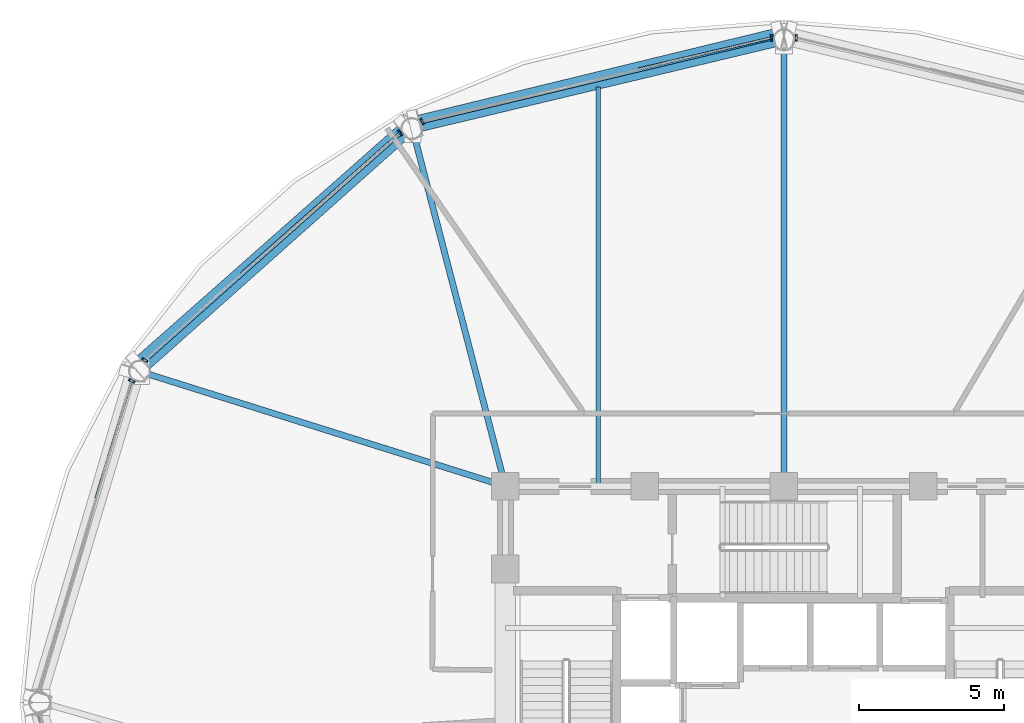
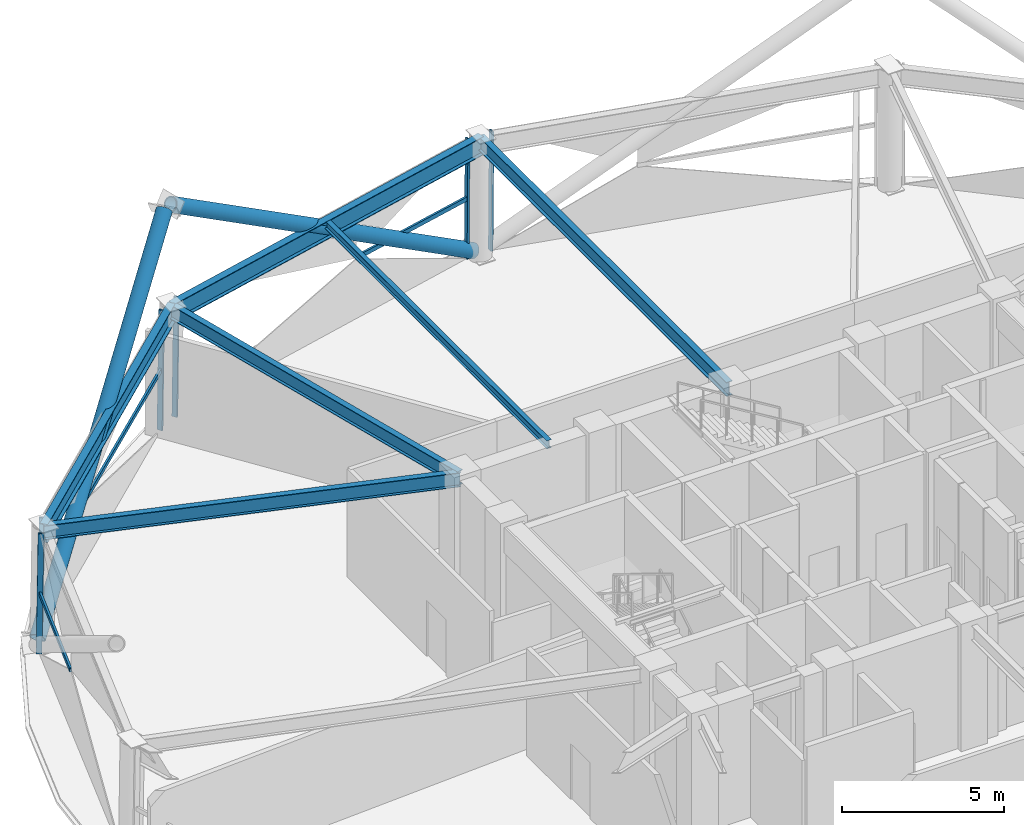
# One storey, part 6 of 17: 11 members, 6 beams, 4 elements without a shape of their own.
"""IFC4 building model written with IfcOpenShell, lengths in metres."""

from ifc_helpers import new_model, si_unit, direction, frame, origin, origin_2d, place, context, subcontext, project, spatial, hollow_rectangle, hollow_circle, i_section, extrude, material, layer, layer_set, material_profile, profile_set, type_object, element, aggregate, save


model = new_model("IFC4")

# Units and contexts
model_context = context("Model", 3, precision=1e-05, world=origin(), true_north=direction((0.0, 1.0)))
body_context = subcontext(model_context, "Body", "Model", "MODEL_VIEW")
ifc_project = project(units=[si_unit("LENGTHUNIT", "METRE"), si_unit("AREAUNIT", "SQUARE_METRE"), si_unit("VOLUMEUNIT", "CUBIC_METRE"), si_unit("PLANEANGLEUNIT", "RADIAN"), si_unit("MASSUNIT", "GRAM", prefix="KILO")], contexts=[model_context])

# Site, building, storey
site_placement = place(None, origin())
site = spatial("IfcSite", under=ifc_project, at=site_placement, CompositionType="ELEMENT")
building_placement = place(site_placement, origin())
building = spatial("IfcBuilding", under=site, at=building_placement, Name="Vantalir Tower", CompositionType="ELEMENT")
storey_placement = place(building_placement, frame((0.0, 0.0, 96.14990234375)))
storey = spatial("IfcBuildingStorey", under=building, at=storey_placement, Name="L23", CompositionType="ELEMENT", Elevation=96.14990234375)

# Beams
ifc_material_1 = material(Name="Steel S355", Category="steel")
ifc_material_profile_1 = material_profile(ifc_material_1, i_section(OverallWidth=0.166015625, OverallDepth=0.306884765625, WebThickness=0.006591796875, FlangeThickness=0.01171875, at=origin_2d()), Name="Steel S355")
ifc_profile_set_1 = profile_set([ifc_material_profile_1], Name="Steel S355")
beam_type_1 = type_object("IfcBeamType", Name="BM-JS-305x165", PredefinedType="JOIST", material=ifc_profile_set_1)
beam_1_placement = place(storey_placement, frame((25.10302734375, 46.217041015625, 4.466064453125), z_axis=(0.0, -1.0, 0.0), x_axis=(1.0, 0.0, 0.0)))
element("IfcBeam", 1, at=beam_1_placement, inside=storey, type_object=beam_type_1, Name="L23 Composite Trim Joist 01", PredefinedType="JOIST", context=body_context, shape_type="SweptSolid", body=[
    extrude(i_section(OverallWidth=0.166015625, OverallDepth=0.306884765625, WebThickness=0.006591796875, FlangeThickness=0.01171875, at=origin_2d()), origin(), (0.0, 0.0, 1.0), 13.721923828125),
])
ifc_material_profile_2 = material_profile(ifc_material_1, i_section(OverallWidth=0.2109375, OverallDepth=0.5390625, WebThickness=0.01171875, FlangeThickness=0.018798828125, at=origin_2d()), Name="Steel S355")
ifc_profile_set_2 = profile_set([ifc_material_profile_2], Name="Steel S355")
beam_type_2 = type_object("IfcBeamType", Name="BM-RB-533x210", PredefinedType="BEAM", material=ifc_profile_set_2)
beam_2_placement = place(storey_placement, frame((31.5, 47.7880859375, 4.35009765625), z_axis=(0.0, -1.0, 0.0), x_axis=(1.0, 0.0, 0.0)))
element("IfcBeam", 2, at=beam_2_placement, inside=storey, type_object=beam_type_2, Name="L23 Radial Floor Beam 04", PredefinedType="BEAM", context=body_context, shape_type="SweptSolid", body=[
    extrude(i_section(OverallWidth=0.2109375, OverallDepth=0.5390625, WebThickness=0.01171875, FlangeThickness=0.018798828125, at=origin_2d()), origin(), (0.0, 0.0, 1.0), 15.338134765625),
])
beam_3_placement = place(storey_placement, frame((18.7060546875, 44.735107421875, 4.35009765625), z_axis=(0.251612232967, -0.967828127418, 0.0), x_axis=(0.967828127418, 0.251612232967, 0.0)))
element("IfcBeam", 3, at=beam_3_placement, inside=storey, type_object=beam_type_2, Name="L23 Radial Floor Beam 05", PredefinedType="BEAM", context=body_context, shape_type="SweptSolid", body=[
    extrude(i_section(OverallWidth=0.2109375, OverallDepth=0.5390625, WebThickness=0.01171875, FlangeThickness=0.018798828125, at=origin_2d()), origin(), (0.0, 0.0, 1.0), 12.693603515625),
])
beam_4_placement = place(storey_placement, frame((9.340087890625, 36.39404296875, 4.35009765625), z_axis=(0.954064922814, -0.299599938343, 0.0), x_axis=(0.299599938343, 0.954064922814, 0.0)))
element("IfcBeam", 4, at=beam_4_placement, inside=storey, type_object=beam_type_2, Name="L23 Radial Floor Beam 06", PredefinedType="BEAM", context=body_context, shape_type="SweptSolid", body=[
    extrude(i_section(OverallWidth=0.2109375, OverallDepth=0.5390625, WebThickness=0.01171875, FlangeThickness=0.018798828125, at=origin_2d()), origin(), (0.0, 0.0, 1.0), 13.16455078125),
])
ifc_material_2 = material(Name="Steel S460", Category="steel")
ifc_material_profile_3 = material_profile(ifc_material_2, i_section(OverallWidth=0.256103515625, OverallDepth=0.693115234375, WebThickness=0.014404296875, FlangeThickness=0.023681640625, at=origin_2d()), Name="Steel S460")
ifc_profile_set_3 = profile_set([ifc_material_profile_3], Name="Steel S460")
beam_type_3 = type_object("IfcBeamType", Name="BM-RG-686x254", PredefinedType="USERDEFINED", material=ifc_profile_set_3)
beam_5_placement = place(storey_placement, frame((31.5, 47.7880859375, 4.273193359375), z_axis=(-0.972689585219, -0.232109824883, 0.0), x_axis=(0.232109824883, -0.972689585219, 0.0)))
element("IfcBeam", 5, at=beam_5_placement, inside=storey, type_object=beam_type_3, Name="L23 Circumferential Ring Girder 04", ObjectType="GIRDER", PredefinedType="USERDEFINED", context=body_context, shape_type="SweptSolid", body=[
    extrude(i_section(OverallWidth=0.256103515625, OverallDepth=0.693115234375, WebThickness=0.014404296875, FlangeThickness=0.023681640625, at=origin_2d()), origin(), (0.0, 0.0, 1.0), 13.153076171875),
])
beam_6_placement = place(storey_placement, frame((18.7060546875, 44.735107421875, 4.273193359375), z_axis=(-0.746784993974, -0.665065540211, 0.0), x_axis=(0.665065540211, -0.746784993974, 0.0)))
element("IfcBeam", 6, at=beam_6_placement, inside=storey, type_object=beam_type_3, Name="L23 Circumferential Ring Girder 05", ObjectType="GIRDER", PredefinedType="USERDEFINED", context=body_context, shape_type="SweptSolid", body=[
    extrude(i_section(OverallWidth=0.256103515625, OverallDepth=0.693115234375, WebThickness=0.014404296875, FlangeThickness=0.023681640625, at=origin_2d()), origin(), (0.0, 0.0, 1.0), 12.541748046875),
])

# Curtain wall, member
ifc_material_3 = material(Name="Champagne-silver PVDF aluminium and double-silver Low-E glass", Category="aluminium")
ifc_layer = layer(ifc_material_3, 0.22998046875)
ifc_layer_set = layer_set([ifc_layer], Name="Champagne-silver PVDF aluminium and double-silver Low-E glass")
curtain_wall_type = type_object("IfcCurtainWallType", Name="CW-SKYLOBBY", PredefinedType="USERDEFINED", material=ifc_layer_set)
curtain_wall_1_placement = place(storey_placement, origin())
curtain_wall_1 = element("IfcCurtainWall", 7, at=curtain_wall_1_placement, inside=storey, type_object=curtain_wall_type, Name="L23 Quilted Pyramid-Diamond Curtain Wall S03", ObjectType="UNITISED CURTAIN WALL", PredefinedType="USERDEFINED")
ifc_material_4 = material(Name="Champagne-silver PVDF aluminium 6063-T6", Category="aluminium")
ifc_material_profile_4 = material_profile(ifc_material_4, hollow_rectangle(XDim=0.074951171875, YDim=0.179931640625, WallThickness=0.00390625, at=origin_2d()), Name="Champagne-silver PVDF aluminium 6063-T6")
ifc_profile_set_4 = profile_set([ifc_material_profile_4], Name="Champagne-silver PVDF aluminium 6063-T6")
member_type_1 = type_object("IfcMemberType", Name="CWM-180x75", PredefinedType="MULLION", material=ifc_profile_set_4)
member_1_placement = place(storey_placement, frame((31.927978515625, 47.930908203125, 0.045166015625), z_axis=(0.0, -0.012125220131, 0.999926486816), x_axis=(1.0, 0.0, 0.0)))
member_1 = element("IfcMember", 8, at=member_1_placement, type_object=member_type_1, Name="CW-L23-S03 Mullion 2", PredefinedType="MULLION", context=body_context, shape_type="SweptSolid", body=[
    extrude(hollow_rectangle(XDim=0.074951171875, YDim=0.179931640625, WallThickness=0.00390625, at=origin_2d()), origin(), (0.0, 0.0, 1.0), 4.5302734375),
])
aggregate(curtain_wall_1, [member_1])

# Curtain wall, members
curtain_wall_2_placement = place(storey_placement, origin())
curtain_wall_2 = element("IfcCurtainWall", 9, at=curtain_wall_2_placement, inside=storey, type_object=curtain_wall_type, Name="L23 Quilted Pyramid-Diamond Curtain Wall S04", ObjectType="UNITISED CURTAIN WALL", PredefinedType="USERDEFINED")
member_2_placement = place(storey_placement, frame((31.072021484375, 47.930908203125, 0.045166015625), z_axis=(0.0, -0.012125220131, 0.999926486816), x_axis=(1.0, 0.0, 0.0)))
member_2 = element("IfcMember", 10, at=member_2_placement, type_object=member_type_1, Name="CW-L23-S04 Mullion 1", PredefinedType="MULLION", context=body_context, shape_type="SweptSolid", body=[
    extrude(hollow_rectangle(XDim=0.074951171875, YDim=0.179931640625, WallThickness=0.00390625, at=origin_2d()), origin(), (0.0, 0.0, 1.0), 4.5302734375),
])
member_3_placement = place(storey_placement, frame((19.008056640625, 45.049072265625, 0.045166015625), z_axis=(0.006843985782, -0.010400702802, 0.999922489616), x_axis=(0.835364778861, 0.54969599438, 0.0)))
member_3 = element("IfcMember", 11, at=member_3_placement, type_object=member_type_1, Name="CW-L23-S04 Mullion 2", PredefinedType="MULLION", context=body_context, shape_type="SweptSolid", body=[
    extrude(hollow_rectangle(XDim=0.074951171875, YDim=0.179931640625, WallThickness=0.00390625, at=origin_2d()), origin(), (0.0, 0.0, 1.0), 4.5302734375),
])

curtain_wall_3_placement = place(storey_placement, origin())
curtain_wall_3 = element("IfcCurtainWall", 12, at=curtain_wall_3_placement, inside=storey, type_object=curtain_wall_type, Name="L23 Quilted Pyramid-Diamond Curtain Wall S05", ObjectType="UNITISED CURTAIN WALL", PredefinedType="USERDEFINED")
member_4_placement = place(storey_placement, frame((18.251953125, 44.654052734375, 0.045166015625), z_axis=(0.006843985782, -0.010400702802, 0.999922489616), x_axis=(0.835364778861, 0.54969599438, 0.0)))
member_4 = element("IfcMember", 13, at=member_4_placement, type_object=member_type_1, Name="CW-L23-S05 Mullion 1", PredefinedType="MULLION", context=body_context, shape_type="SweptSolid", body=[
    extrude(hollow_rectangle(XDim=0.074951171875, YDim=0.179931640625, WallThickness=0.00390625, at=origin_2d()), origin(), (0.0, 0.0, 1.0), 4.5302734375),
])
member_5_placement = place(storey_placement, frame((9.449951171875, 36.80908203125, 0.045166015625), z_axis=(0.011909478444, -0.005981683744, 0.999911187948), x_axis=(0.448830270685, 0.893617025418, 0.0)))
member_5 = element("IfcMember", 14, at=member_5_placement, type_object=member_type_1, Name="CW-L23-S05 Mullion 2", PredefinedType="MULLION", context=body_context, shape_type="SweptSolid", body=[
    extrude(hollow_rectangle(XDim=0.074951171875, YDim=0.179931640625, WallThickness=0.00390625, at=origin_2d()), origin(), (0.0, 0.0, 1.0), 4.530517578125),
])

# Curtain wall, member
curtain_wall_4_placement = place(storey_placement, origin())
curtain_wall_4 = element("IfcCurtainWall", 15, at=curtain_wall_4_placement, inside=storey, type_object=curtain_wall_type, Name="L23 Quilted Pyramid-Diamond Curtain Wall S06", ObjectType="UNITISED CURTAIN WALL", PredefinedType="USERDEFINED")
member_6_placement = place(storey_placement, frame((8.9951171875, 36.094970703125, 0.045166015625), z_axis=(0.011909482266, -0.005927796603, 0.999911508814), x_axis=(0.445592525197, 0.895235891533, 0.0)))
member_6 = element("IfcMember", 16, at=member_6_placement, type_object=member_type_1, Name="CW-L23-S06 Mullion 1", PredefinedType="MULLION", context=body_context, shape_type="SweptSolid", body=[
    extrude(hollow_rectangle(XDim=0.074951171875, YDim=0.179931640625, WallThickness=0.00390625, at=origin_2d()), origin(), (0.0, 0.0, 1.0), 4.530517578125),
])

# Member
ifc_material_profile_5 = material_profile(ifc_material_4, hollow_rectangle(XDim=0.074951171875, YDim=0.159912109375, WallThickness=0.00390625, at=origin_2d()), Name="Champagne-silver PVDF aluminium 6063-T6")
ifc_profile_set_5 = profile_set([ifc_material_profile_5], Name="Champagne-silver PVDF aluminium 6063-T6")
member_type_2 = type_object("IfcMemberType", Name="CWT-160x75", PredefinedType="USERDEFINED", material=ifc_profile_set_5)
member_7_placement = place(storey_placement, frame((31.072021484375, 47.903076171875, 2.31005859375), z_axis=(-0.973819016239, -0.227324709639, 0.0), x_axis=(0.227324709639, -0.973819016239, 0.0)))
member_7 = element("IfcMember", 17, at=member_7_placement, type_object=member_type_2, Name="CW-L23-S04 Pyramid Fold Ridge Transom", ObjectType="TRANSOM", PredefinedType="USERDEFINED", context=body_context, shape_type="SweptSolid", body=[
    extrude(hollow_rectangle(XDim=0.074951171875, YDim=0.159912109375, WallThickness=0.00390625, at=origin_2d()), origin(), (0.0, 0.0, 1.0), 4.707275390625),
])

aggregate(curtain_wall_2, [member_2, member_3, member_7])

member_8_placement = place(storey_placement, frame((18.26708984375, 44.631103515625, 2.31005859375), z_axis=(-0.74859386801, -0.66302882349, 0.0), x_axis=(0.66302882349, -0.74859386801, 0.0)))
member_8 = element("IfcMember", 18, at=member_8_placement, type_object=member_type_2, Name="CW-L23-S05 Pyramid Fold Ridge Transom", ObjectType="TRANSOM", PredefinedType="USERDEFINED", context=body_context, shape_type="SweptSolid", body=[
    extrude(hollow_rectangle(XDim=0.074951171875, YDim=0.159912109375, WallThickness=0.00390625, at=origin_2d()), origin(), (0.0, 0.0, 1.0), 7.304443359375),
])

aggregate(curtain_wall_3, [member_4, member_5, member_8])

member_9_placement = place(storey_placement, frame((9.02197265625, 36.0810546875, 2.31005859375), z_axis=(-0.29315689543, -0.956064346507, 0.0), x_axis=(0.956064346507, -0.29315689543, 0.0)))
member_9 = element("IfcMember", 19, at=member_9_placement, type_object=member_type_2, Name="CW-L23-S06 Pyramid Fold Ridge Transom", ObjectType="TRANSOM", PredefinedType="USERDEFINED", context=body_context, shape_type="SweptSolid", body=[
    extrude(hollow_rectangle(XDim=0.074951171875, YDim=0.159912109375, WallThickness=0.00390625, at=origin_2d()), origin(), (0.0, 0.0, 1.0), 4.229736328125),
])

aggregate(curtain_wall_4, [member_6, member_9])

# Members
ifc_material_profile_6 = material_profile(ifc_material_2, hollow_circle(Radius=0.260009765625, WallThickness=0.0380859375, at=origin_2d()), Name="Steel S460")
ifc_profile_set_6 = profile_set([ifc_material_profile_6], Name="Steel S460")
member_type_3 = type_object("IfcMemberType", Name="MEM-DB-520x38", PredefinedType="BRACE", material=ifc_profile_set_6)
member_10_placement = place(storey_placement, frame((31.318115234375, 47.989013671875, 0.196044921875), z_axis=(-0.826243440353, -0.200863656864, 0.526284684012), x_axis=(0.236224467556, -0.971698513392, 0.0)))
element("IfcMember", 20, at=member_10_placement, inside=storey, type_object=member_type_3, Name="L23 Perimeter S460 Diagrid Brace R10L", PredefinedType="BRACE", context=body_context, shape_type="SweptSolid", body=[
    extrude(hollow_circle(Radius=0.260009765625, WallThickness=0.0380859375, at=origin_2d()), origin(), (0.0, 0.0, 1.0), 15.1591796875),
])
member_11_placement = place(storey_placement, frame((9.260009765625, 36.637939453125, 0.2001953125), z_axis=(0.628811889608, 0.555592697246, 0.543978273697), x_axis=(-0.662129853125, 0.749389122953, 0.0)))
element("IfcMember", 21, at=member_11_placement, inside=storey, type_object=member_type_3, Name="L23 Perimeter S460 Diagrid Brace R16R", PredefinedType="BRACE", context=body_context, shape_type="SweptSolid", body=[
    extrude(hollow_circle(Radius=0.260009765625, WallThickness=0.0380859375, at=origin_2d()), origin(), (0.0, 0.0, 1.0), 14.6513671875),
])

save(model, "model.ifc")
